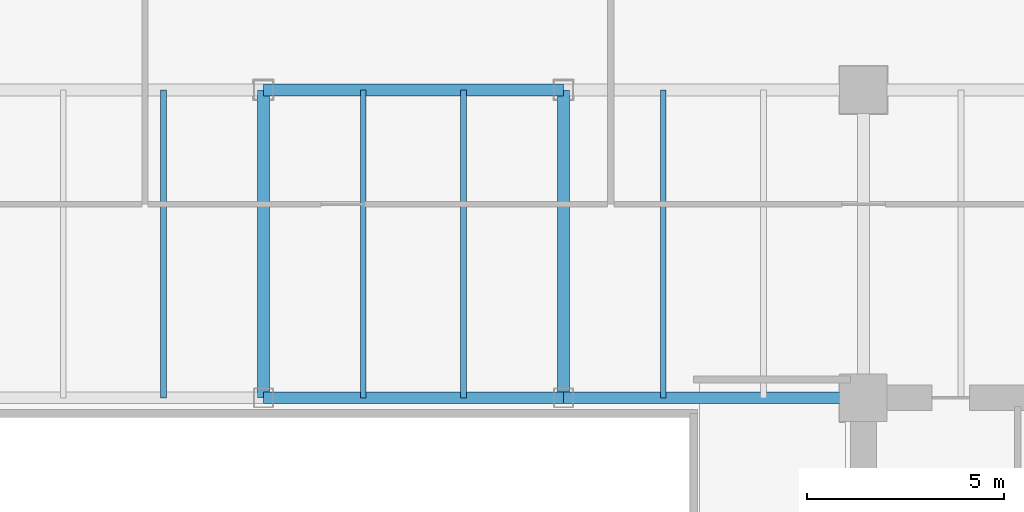
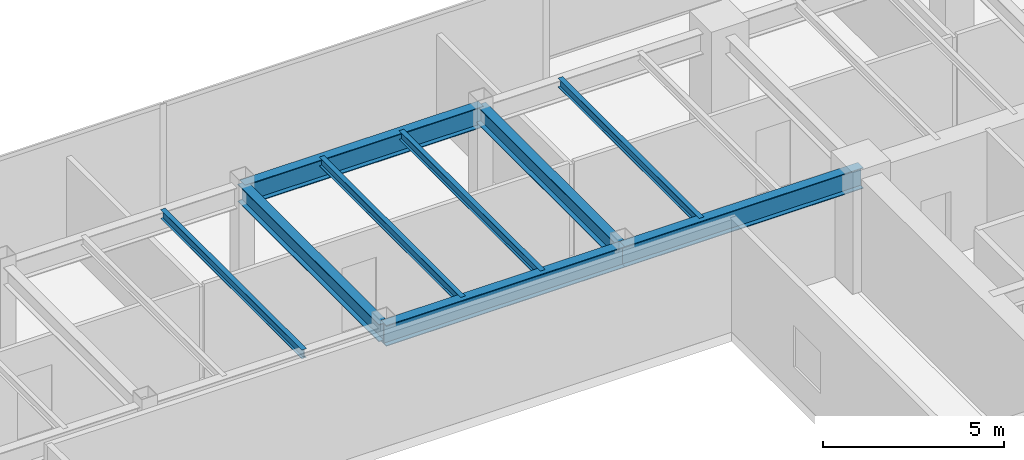
# One storey, part 17 of 33: 9 beams.
"""IFC4 building model written with IfcOpenShell, lengths in metres."""

from ifc_helpers import new_model, si_unit, direction, frame, origin, origin_2d, place, context, subcontext, project, spatial, i_section, extrude, source, transform, mapped, material, material_profile, profile_set, type_object, type_shapes, element, save


model = new_model("IFC4")

# Units and contexts
model_context = context("Model", 3, precision=1e-05, world=origin(), true_north=direction((0.0, 1.0)))
body_context = subcontext(model_context, "Body", "Model", "MODEL_VIEW")
ifc_project = project(units=[si_unit("LENGTHUNIT", "METRE"), si_unit("AREAUNIT", "SQUARE_METRE"), si_unit("VOLUMEUNIT", "CUBIC_METRE"), si_unit("PLANEANGLEUNIT", "RADIAN"), si_unit("MASSUNIT", "GRAM", prefix="KILO")], contexts=[model_context])

# Site, building, storey
site_placement = place(None, origin())
site = spatial("IfcSite", under=ifc_project, at=site_placement, CompositionType="ELEMENT")
building_placement = place(site_placement, origin())
building = spatial("IfcBuilding", under=site, at=building_placement, Name="Haelvirn Gate Laboratories", CompositionType="ELEMENT")
storey_placement = place(building_placement, frame((0.0, 0.0, 166.60009765625)))
storey = spatial("IfcBuildingStorey", under=building, at=storey_placement, Name="L40", CompositionType="ELEMENT", Elevation=166.60009765625)

# Beams
ifc_material = material(Name="Steel SM355", Category="steel")
ifc_material_profile_1 = material_profile(ifc_material, i_section(OverallWidth=0.300048828125, OverallDepth=0.699951171875, WebThickness=0.012939453125, FlangeThickness=0.02392578125, at=origin_2d()), Name="H-700x300x13x24")
ifc_profile_set_1 = profile_set([ifc_material_profile_1], Name="Steel SM355")
beam_type_1 = type_object("IfcBeamType", Name="BM-G-700", PredefinedType="BEAM", material=ifc_profile_set_1)
shared_shape_1 = source(origin(), body_context, "Body", "SweptSolid", [
    extrude(i_section(OverallWidth=0.300048828125, OverallDepth=0.699951171875, WebThickness=0.012939453125, FlangeThickness=0.02392578125, at=origin_2d()), origin(), (0.0, 0.0, 1.0), 7.60009765625),
])
type_shapes(beam_type_1, [shared_shape_1])
for number, where, z_axis, x_axis, name in (
    (1, (37.39990234375, 33.800048828125, 3.43994140625), (1.0, 0.0, 0.0), (0.0, 1.0, 0.0), "L40 Primary Girder Y33.8 (37.4-45.0)"),
    (2, (45.0, 33.800048828125, 3.43994140625), (1.0, 0.0, 0.0), (0.0, 1.0, 0.0), "L40 Primary Girder Y33.8 (45.0-52.6)"),
    (3, (37.39990234375, 41.60009765625, 3.43994140625), (1.0, 0.0, 0.0), (0.0, 1.0, 0.0), "L40 Primary Girder Y41.6 (37.4-45.0)"),
):
    element("IfcBeam", number, at=place(storey_placement, frame(where, z_axis=z_axis, x_axis=x_axis)), inside=storey, type_object=beam_type_1, Name=name, PredefinedType="BEAM", context=body_context, shape_type="MappedRepresentation", body=[
        mapped(shared_shape_1, transform((0.0, 0.0, 0.0), scale=1.0)),
    ])
ifc_material_profile_2 = material_profile(ifc_material, i_section(OverallWidth=0.14990234375, OverallDepth=0.300048828125, WebThickness=0.006591796875, FlangeThickness=0.009033203125, at=origin_2d()), Name="H-300x150x6.5x9")
ifc_profile_set_2 = profile_set([ifc_material_profile_2], Name="Steel SM355")
beam_type_2 = type_object("IfcBeamType", Name="BM-J-300", PredefinedType="JOIST", material=ifc_profile_set_2)
shared_shape_2 = source(origin(), body_context, "Body", "SweptSolid", [
    extrude(i_section(OverallWidth=0.14990234375, OverallDepth=0.300048828125, WebThickness=0.006591796875, FlangeThickness=0.009033203125, at=origin_2d()), origin(), (0.0, 0.0, 1.0), 7.800048828125),
])
type_shapes(beam_type_2, [shared_shape_2])
for number, where, z_axis, x_axis, name in (
    (4, (34.8701171875, 33.800048828125, 3.639892578125), (0.0, 1.0, 0.0), (-1.0, 0.0, 0.0), "L40 Composite Lab Joist North X34.87"),
    (5, (39.929931640625, 33.800048828125, 3.639892578125), (0.0, 1.0, 0.0), (-1.0, 0.0, 0.0), "L40 Composite Lab Joist North X39.93"),
    (6, (42.469970703125, 33.800048828125, 3.639892578125), (0.0, 1.0, 0.0), (-1.0, 0.0, 0.0), "L40 Composite Lab Joist North X42.47"),
    (7, (47.530029296875, 33.800048828125, 3.639892578125), (0.0, 1.0, 0.0), (-1.0, 0.0, 0.0), "L40 Composite Lab Joist North X47.53"),
):
    element("IfcBeam", number, at=place(storey_placement, frame(where, z_axis=z_axis, x_axis=x_axis)), inside=storey, type_object=beam_type_2, Name=name, PredefinedType="JOIST", context=body_context, shape_type="MappedRepresentation", body=[
        mapped(shared_shape_2, transform((0.0, 0.0, 0.0), scale=1.0)),
    ])
ifc_material_profile_3 = material_profile(ifc_material, i_section(OverallWidth=0.300048828125, OverallDepth=0.587890625, WebThickness=0.011962890625, FlangeThickness=0.02001953125, at=origin_2d()), Name="H-588x300x12x20")
ifc_profile_set_3 = profile_set([ifc_material_profile_3], Name="Steel SM355")
beam_type_3 = type_object("IfcBeamType", Name="BM-G-588", PredefinedType="BEAM", material=ifc_profile_set_3)
shared_shape_3 = source(origin(), body_context, "Body", "SweptSolid", [
    extrude(i_section(OverallWidth=0.300048828125, OverallDepth=0.587890625, WebThickness=0.011962890625, FlangeThickness=0.02001953125, at=origin_2d()), origin(), (0.0, 0.0, 1.0), 7.800048828125),
])
type_shapes(beam_type_3, [shared_shape_3])
for number, where, z_axis, x_axis, name in (
    (8, (37.39990234375, 33.800048828125, 3.495849609375), (0.0, 1.0, 0.0), (-1.0, 0.0, 0.0), "L40 Frame Girder X37.4 (33.8-41.6)"),
    (9, (45.0, 33.800048828125, 3.495849609375), (0.0, 1.0, 0.0), (-1.0, 0.0, 0.0), "L40 Frame Girder X45.0 (33.8-41.6)"),
):
    element("IfcBeam", number, at=place(storey_placement, frame(where, z_axis=z_axis, x_axis=x_axis)), inside=storey, type_object=beam_type_3, Name=name, PredefinedType="BEAM", context=body_context, shape_type="MappedRepresentation", body=[
        mapped(shared_shape_3, transform((0.0, 0.0, 0.0), scale=1.0)),
    ])

save(model, "model.ifc")
